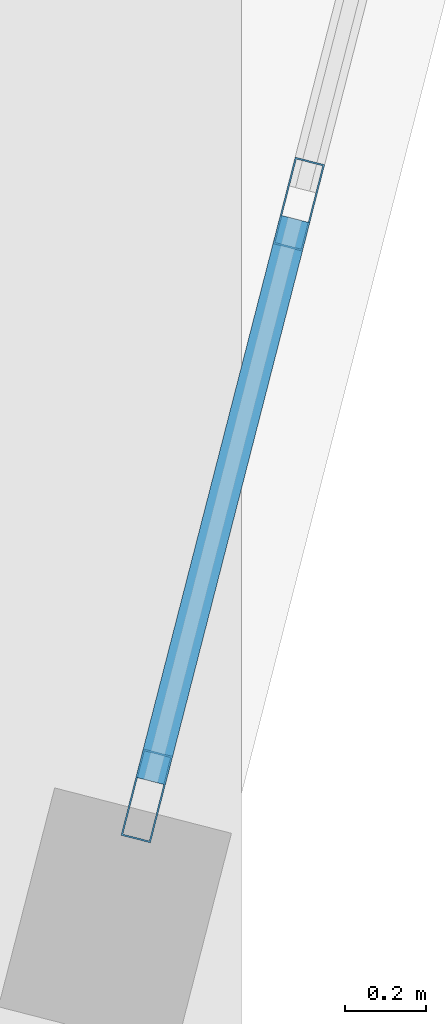
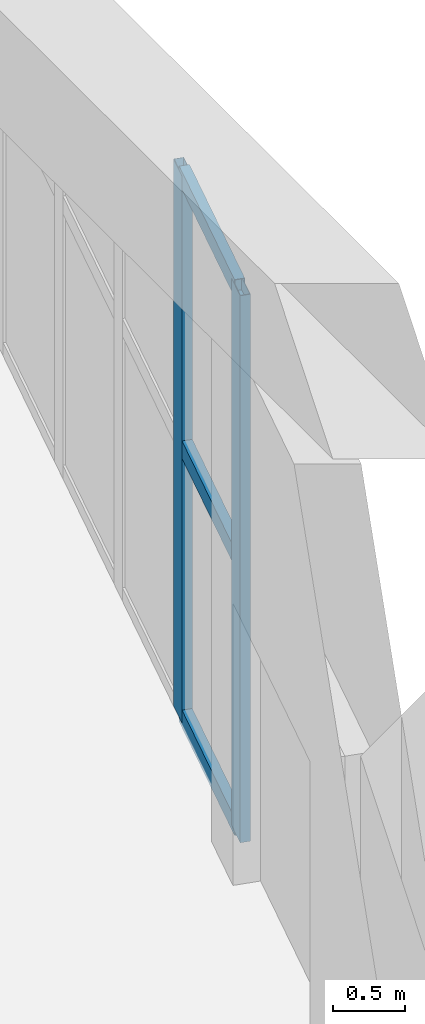
# One storey, part 11 of 35: 5 members, 1 element without a shape of its own.
"""IFC4 building model written with IfcOpenShell, lengths in metres."""

import ifcopenshell
import ifcopenshell.guid

model = None  # the IFC model being written
_history = None  # IfcOwnerHistory: only IFC2X3 demands one
_inside = {}  # id of a spatial element -> (the spatial element, [elements in it])
_under = {}  # id of a project, library or spatial element -> (it, [spatial elements below it])
_declared = {}  # id of a project -> (the project, [libraries it declares])
_typed = {}  # id of a type object -> (the type object, [elements of that type])
_made_of = {}  # id of a material, layer set ... -> (it, [elements and type objects made of it])


def new_model(schema):
    """Start an empty IFC model of exactly this schema.

    Asked for "IFC4X3", IfcOpenShell would pick the latest addendum, in which some entities
    have other attributes; the version numbers below select the first issue.
    IFC2X3 requires an IfcOwnerHistory on every rooted entity: one is made here for all.
    """
    global model, _history
    if schema == "IFC4X3":
        model = ifcopenshell.file(schema_version=(4, 3, 0, 0))
    else:
        model = ifcopenshell.file(schema=schema)
    _inside.clear()
    _under.clear()
    _declared.clear()
    _typed.clear()
    _made_of.clear()
    _history = None
    if model.schema == "IFC2X3":
        org = make("IfcOrganization", Name="unknown")
        user = make(
            "IfcPersonAndOrganization",
            ThePerson=make("IfcPerson", FamilyName="unknown"),
            TheOrganization=org,
        )
        app = make(
            "IfcApplication",
            ApplicationDeveloper=org,
            Version="unknown",
            ApplicationFullName="unknown",
            ApplicationIdentifier="unknown",
        )
        _history = make(
            "IfcOwnerHistory",
            OwningUser=user,
            OwningApplication=app,
            ChangeAction="ADDED",
            CreationDate=0,
        )
    return model


def make(cls, **values):
    """One entity of the class cls with the attributes given. An attribute that is None is left unset."""
    return model.create_entity(
        cls, **{name: value for name, value in values.items() if value is not None}
    )


def rooted(cls, **values):
    """An entity with a GlobalId (a new one), such as an element, a storey or a relation."""
    return make(cls, GlobalId=ifcopenshell.guid.new(), OwnerHistory=_history, **values)


def si_unit(unit_type, name, prefix=None):
    """IfcSIUnit, for example si_unit("LENGTHUNIT", "METRE", prefix="MILLI")."""
    return make("IfcSIUnit", UnitType=unit_type, Prefix=prefix, Name=name)


def assignment(units):
    """IfcUnitAssignment: the units of a project."""
    return None if units is None else make("IfcUnitAssignment", Units=units)


def point(xyz):
    """IfcCartesianPoint."""
    return None if xyz is None else make("IfcCartesianPoint", Coordinates=xyz)


def direction(xyz):
    """IfcDirection."""
    return None if xyz is None else make("IfcDirection", DirectionRatios=xyz)


def frame(location, z_axis=None, x_axis=None):
    """IfcAxis2Placement3D, a coordinate frame: its origin and axes. An axis left out is left unset."""
    return make(
        "IfcAxis2Placement3D",
        Location=point(location),
        Axis=direction(z_axis),
        RefDirection=direction(x_axis),
    )


def frame_2d(location, x_axis=None):
    """IfcAxis2Placement2D, a coordinate frame in the plane: its origin and x axis."""
    return make(
        "IfcAxis2Placement2D", Location=point(location), RefDirection=direction(x_axis)
    )


def origin():
    """The frame at (0, 0, 0) with its axes left unset."""
    return frame((0.0, 0.0, 0.0))


def origin_2d():
    """The frame at (0, 0) in the plane with its x axis left unset."""
    return frame_2d((0.0, 0.0))


def place(relative_to, where):
    """IfcLocalPlacement: puts the frame where relative to a parent placement (None: the world)."""
    return make(
        "IfcLocalPlacement", PlacementRelTo=relative_to, RelativePlacement=where
    )


def context(
    kind, dimensions, precision=None, world=None, true_north=None, identifier=None
):
    """IfcGeometricRepresentationContext, for example the 3D "Model" context."""
    return make(
        "IfcGeometricRepresentationContext",
        ContextIdentifier=identifier,
        ContextType=kind,
        CoordinateSpaceDimension=dimensions,
        Precision=precision,
        WorldCoordinateSystem=world,
        TrueNorth=true_north,
    )


def subcontext(parent, identifier, kind, view, scale=None):
    """IfcGeometricRepresentationSubContext, for example "Body" below "Model"."""
    return make(
        "IfcGeometricRepresentationSubContext",
        ContextIdentifier=identifier,
        ContextType=kind,
        ParentContext=parent,
        TargetScale=scale,
        TargetView=view,
    )


def project(units=None, contexts=None):
    """IfcProject with its units and contexts."""
    return rooted(
        "IfcProject",
        Name="project",
        RepresentationContexts=contexts,
        UnitsInContext=assignment(units),
    )


def spatial(cls, under=None, at=None, **own):
    """A site, building, storey or space (cls), placed at a placement, below another one or the project."""
    s = rooted(cls, ObjectPlacement=at, **own)
    if under is not None:
        _under.setdefault(under.id(), (under, []))[1].append(s)
    return s


def profile(cls, at=None, kind="AREA", **sizes):
    """A parametric profile (cls). Its sizes go by their IFC names, for example OverallWidth=200.0."""
    return make(cls, ProfileType=kind, Position=at, **sizes)


def hollow_rectangle(**sizes):
    """IfcRectangleHollowProfileDef."""
    return profile("IfcRectangleHollowProfileDef", **sizes)


def extrude(swept, where, along, depth):
    """IfcExtrudedAreaSolid: the profile swept, set in the frame where, extruded along a direction by depth."""
    return make(
        "IfcExtrudedAreaSolid",
        SweptArea=swept,
        Position=where,
        ExtrudedDirection=direction(along),
        Depth=depth,
    )


def shape(context_of_items, identifier, shape_type, items):
    """IfcShapeRepresentation: the items that make up one representation, for example the "Body"."""
    return make(
        "IfcShapeRepresentation",
        ContextOfItems=context_of_items,
        RepresentationIdentifier=identifier,
        RepresentationType=shape_type,
        Items=items,
    )


def material(Name=None, Category=None):
    """IfcMaterial."""
    return make("IfcMaterial", Name=Name, Category=Category)


def layer(
    of_material, thickness, ventilated=None, Name=None, Category=None, Priority=None
):
    """IfcMaterialLayer: one layer of a wall or slab, of a material (None: an air gap)."""
    return make(
        "IfcMaterialLayer",
        Material=of_material,
        LayerThickness=thickness,
        IsVentilated=ventilated,
        Name=Name,
        Category=Category,
        Priority=Priority,
    )


def layer_set(layers, Name=None):
    """IfcMaterialLayerSet."""
    return make("IfcMaterialLayerSet", MaterialLayers=layers, LayerSetName=Name)


def material_profile(
    of_material, cross_section, Name=None, Category=None, Priority=None
):
    """IfcMaterialProfile: a cross section and its material."""
    return make(
        "IfcMaterialProfile",
        Name=Name,
        Material=of_material,
        Profile=cross_section,
        Priority=Priority,
        Category=Category,
    )


def profile_set(profiles, Name=None, composite=None):
    """IfcMaterialProfileSet."""
    return make(
        "IfcMaterialProfileSet",
        Name=Name,
        MaterialProfiles=profiles,
        CompositeProfile=composite,
    )


def made_of(thing, what):
    """Note that an element or type object is made of a material, layer set ...; save() writes the relation."""
    if what is not None:
        _made_of.setdefault(what.id(), (what, []))[1].append(thing)
    return thing


def type_object(cls, material=None, **own):
    """A type object (cls), such as IfcWallType, which elements share."""
    return made_of(rooted(cls, **own), material)


def element(
    cls,
    number,
    at=None,
    inside=None,
    cuts=None,
    type_object=None,
    material=None,
    context=None,
    identifier="Body",
    shape_type=None,
    held_by="IfcProductDefinitionShape",
    body=None,
    shapes=None,
    **own,
):
    """One element of the class cls, such as IfcWall. Its Tag is "e" and its number.

    at: its placement. inside: the storey or other place that contains it. cuts: it is an
    opening in that element (IfcRelVoidsElement). A single representation is given by context,
    identifier, shape_type and body (its items); several are given by shapes. held_by: the class
    of the entity that holds the representations. save() writes the other relations.
    """
    e = rooted(cls, Tag="e%d" % number, ObjectPlacement=at, **own)
    if body is not None:
        shapes = [shape(context, identifier, shape_type, body)]
    if shapes is not None:
        e.Representation = make(held_by, Representations=shapes)
    if inside is not None:
        _inside.setdefault(inside.id(), (inside, []))[1].append(e)
    if cuts is not None:
        rooted(
            "IfcRelVoidsElement", RelatingBuildingElement=cuts, RelatedOpeningElement=e
        )
    if type_object is not None:
        _typed.setdefault(type_object.id(), (type_object, []))[1].append(e)
    return made_of(e, material)


def aggregate(whole, parts):
    """IfcRelAggregates: a whole, such as a stair, and the parts it consists of."""
    return rooted("IfcRelAggregates", RelatingObject=whole, RelatedObjects=parts)


def save(model, path):
    """Write the relations noted so far, then the file.

    IfcRelAggregates (storeys below a building ...), IfcRelContainedInSpatialStructure (elements
    in a storey), IfcRelDefinesByType, IfcRelAssociatesMaterial and IfcRelDeclares: one each for
    every whole, place, type object, material and project.
    """
    for whole, parts in _under.values():
        aggregate(whole, parts)
    for where, things in _inside.values():
        rooted(
            "IfcRelContainedInSpatialStructure",
            RelatedElements=things,
            RelatingStructure=where,
        )
    for kind, things in _typed.values():
        rooted("IfcRelDefinesByType", RelatedObjects=things, RelatingType=kind)
    for what, things in _made_of.values():
        rooted("IfcRelAssociatesMaterial", RelatedObjects=things, RelatingMaterial=what)
    for by, libraries in _declared.values():
        rooted("IfcRelDeclares", RelatingContext=by, RelatedDefinitions=libraries)
    model.write(path)


model = new_model("IFC4")

# Units and contexts
model_context = context("Model", 3, precision=1e-05, world=origin(), true_north=direction((0.0, 1.0)))
body_context = subcontext(model_context, "Body", "Model", "MODEL_VIEW")
ifc_project = project(units=[si_unit("LENGTHUNIT", "METRE"), si_unit("AREAUNIT", "SQUARE_METRE"), si_unit("VOLUMEUNIT", "CUBIC_METRE"), si_unit("PLANEANGLEUNIT", "RADIAN"), si_unit("MASSUNIT", "GRAM", prefix="KILO")], contexts=[model_context])

# Site, building, storey
site_placement = place(None, origin())
site = spatial("IfcSite", under=ifc_project, at=site_placement, CompositionType="ELEMENT")
building_placement = place(site_placement, origin())
building = spatial("IfcBuilding", under=site, at=building_placement, Name="Kilnhurst Terrace Hotel", CompositionType="ELEMENT")
storey_placement = place(building_placement, origin())
storey = spatial("IfcBuildingStorey", under=building, at=storey_placement, Name="L00", CompositionType="ELEMENT", Elevation=0.0)

# Curtain wall, members
ifc_material_1 = material(Name="Anodized Aluminium Alloy 6063-T6 and Low-E Glass", Category="aluminium")
ifc_layer = layer(ifc_material_1, 0.219970703125, Name="Anodized Aluminium Alloy 6063-T6 and Low-E Glass")
ifc_layer_set = layer_set([ifc_layer], Name="Anodized Aluminium Alloy 6063-T6 and Low-E Glass")
curtain_wall_type = type_object("IfcCurtainWallType", Name="CW-POD-LOBBY", PredefinedType="NOTDEFINED", material=ifc_layer_set)
curtain_wall_placement = place(storey_placement, origin())
curtain_wall = element("IfcCurtainWall", 1, at=curtain_wall_placement, inside=storey, type_object=curtain_wall_type, Name="L00 Curtain Wall CW-L00-F2-1", PredefinedType="NOTDEFINED")
ifc_material_2 = material(Name="Extruded Aluminium Alloy 6063-T6", Category="aluminium")
ifc_material_profile_1 = material_profile(ifc_material_2, hollow_rectangle(XDim=0.074951171875, YDim=0.219970703125, WallThickness=0.00390625, at=origin_2d()), Name="CWM75X220")
ifc_profile_set_1 = profile_set([ifc_material_profile_1], Name="Extruded Aluminium Alloy 6063-T6")
member_type_1 = type_object("IfcMemberType", Name="MEM-CWM75X220", PredefinedType="MULLION", material=ifc_profile_set_1)
member_1_placement = place(storey_placement, frame((27.741943359375, -21.703857421875, 0.0), z_axis=(0.0, 0.0, 1.0), x_axis=(-0.968570392874, 0.248739610933, 0.0)))
member_1 = element("IfcMember", 2, at=member_1_placement, type_object=member_type_1, Name="CWL-1 mullion 1", PredefinedType="MULLION", context=body_context, shape_type="SweptSolid", body=[
    extrude(hollow_rectangle(XDim=0.074951171875, YDim=0.219970703125, WallThickness=0.00390625, at=origin_2d()), origin(), (0.0, 0.0, 1.0), 4.64990234375),
])
member_2_placement = place(storey_placement, frame((28.11669921875, -20.2451171875, 0.0), z_axis=(0.0, 0.0, 1.0), x_axis=(-0.968570392874, 0.248739610933, 0.0)))
member_2 = element("IfcMember", 3, at=member_2_placement, type_object=member_type_1, Name="CWL-1 mullion 2", PredefinedType="MULLION", context=body_context, shape_type="SweptSolid", body=[
    extrude(hollow_rectangle(XDim=0.074951171875, YDim=0.219970703125, WallThickness=0.00390625, at=origin_2d()), origin(), (0.0, 0.0, 1.0), 4.64990234375),
])
ifc_material_profile_2 = material_profile(ifc_material_2, hollow_rectangle(XDim=0.074951171875, YDim=0.14990234375, WallThickness=0.00390625, at=origin_2d()), Name="CWT75X150")
ifc_profile_set_2 = profile_set([ifc_material_profile_2], Name="Extruded Aluminium Alloy 6063-T6")
member_type_2 = type_object("IfcMemberType", Name="MEM-CWT75X150", PredefinedType="USERDEFINED", material=ifc_profile_set_2)
member_3_placement = place(storey_placement, frame((27.75146484375, -21.66748046875, 0.03759765625), z_axis=(0.248752973294, 0.968566961174, 0.0), x_axis=(-0.968566961174, 0.248752973294, 0.0)))
member_3 = element("IfcMember", 4, at=member_3_placement, type_object=member_type_2, Name="CWL-1 transom 1.1", ObjectType="TRANSOM", PredefinedType="USERDEFINED", context=body_context, shape_type="SweptSolid", body=[
    extrude(hollow_rectangle(XDim=0.074951171875, YDim=0.14990234375, WallThickness=0.00390625, at=origin_2d()), origin(), (0.0, 0.0, 1.0), 1.430908203125),
])
member_4_placement = place(storey_placement, frame((27.75146484375, -21.66748046875, 2.324951171875), z_axis=(0.248752973294, 0.968566961174, 0.0), x_axis=(-0.968566961174, 0.248752973294, 0.0)))
member_4 = element("IfcMember", 5, at=member_4_placement, type_object=member_type_2, Name="CWL-1 transom 1.2", ObjectType="TRANSOM", PredefinedType="USERDEFINED", context=body_context, shape_type="SweptSolid", body=[
    extrude(hollow_rectangle(XDim=0.074951171875, YDim=0.14990234375, WallThickness=0.00390625, at=origin_2d()), origin(), (0.0, 0.0, 1.0), 1.430908203125),
])
member_5_placement = place(storey_placement, frame((27.75146484375, -21.66748046875, 4.612548828125), z_axis=(0.248752973294, 0.968566961174, 0.0), x_axis=(-0.968566961174, 0.248752973294, 0.0)))
member_5 = element("IfcMember", 6, at=member_5_placement, type_object=member_type_2, Name="CWL-1 transom 1.3", ObjectType="TRANSOM", PredefinedType="USERDEFINED", context=body_context, shape_type="SweptSolid", body=[
    extrude(hollow_rectangle(XDim=0.074951171875, YDim=0.14990234375, WallThickness=0.00390625, at=origin_2d()), origin(), (0.0, 0.0, 1.0), 1.430908203125),
])
aggregate(curtain_wall, [member_1, member_2, member_3, member_4, member_5])

save(model, "model.ifc")
